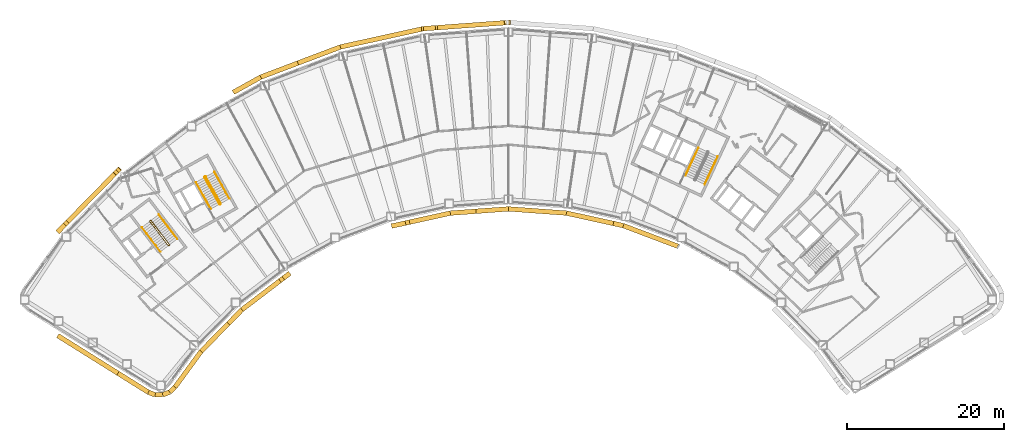
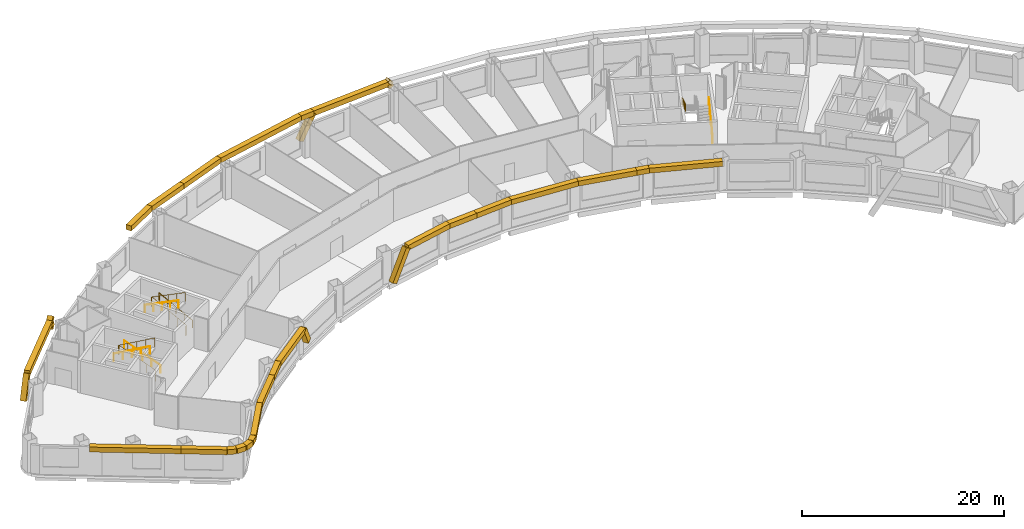
# One storey, part 10 of 11: 32 coverings, 8 railings.
"""IFC4 building model written with IfcOpenShell, lengths in metres."""

from ifc_helpers import new_model, si_unit, direction, frame, origin, origin_2d, place, context, subcontext, project, spatial, rectangle, circle, extrude, material, material_profile, profile_set, type_object, element, save


model = new_model("IFC4")

# Units and contexts
model_context = context("Model", 3, precision=1e-05, world=origin(), true_north=direction((0.0, 1.0)))
body_context = subcontext(model_context, "Body", "Model", "MODEL_VIEW")
ifc_project = project(units=[si_unit("LENGTHUNIT", "METRE"), si_unit("AREAUNIT", "SQUARE_METRE"), si_unit("VOLUMEUNIT", "CUBIC_METRE"), si_unit("PLANEANGLEUNIT", "RADIAN"), si_unit("MASSUNIT", "GRAM", prefix="KILO")], contexts=[model_context])

# Site, building, storey
site_placement = place(None, origin())
site = spatial("IfcSite", under=ifc_project, at=site_placement, CompositionType="ELEMENT")
building_placement = place(site_placement, origin())
building = spatial("IfcBuilding", under=site, at=building_placement, Name="Tuul Gate Civic Tower", CompositionType="ELEMENT")
storey_placement = place(building_placement, frame((0.0, 0.0, 120.300048828125)))
storey = spatial("IfcBuildingStorey", under=building, at=storey_placement, Name="Level 27", CompositionType="ELEMENT", Elevation=120.300048828125)

# Railings
ifc_material_1 = material(Name="Painted steel", Category="steel")
railing_type_1 = type_object("IfcRailingType", Name="Stair guard", PredefinedType="GUARDRAIL", material=ifc_material_1)
railing_1_placement = place(storey_placement, frame((-33.382080078125, -13.515380859375, 0.0)))
element("IfcRailing", 1, at=railing_1_placement, inside=storey, type_object=railing_type_1, Name="Level 27 ST-1 stair guard 1", PredefinedType="GUARDRAIL", context=body_context, shape_type="SweptSolid", body=[
    extrude(circle(Radius=0.02392578125, at=origin_2d()), frame((0.0, 0.0, 1.076171875), z_axis=(-0.795879841968, -0.605454603706, 0.0), x_axis=(0.605454603706, -0.795879841968, 0.0)), (0.0, 0.0, 1.0), 0.10009765625),
    extrude(circle(Radius=0.02392578125, at=origin_2d()), frame((-0.07958984375, -0.060546875, 1.076171875), z_axis=(0.408991890351, 0.599481263939, 0.688002796371), x_axis=(-0.826063974707, 0.563576356576, 0.0)), (0.0, 0.0, 1.0), 0.2177734375),
    extrude(circle(Radius=0.02392578125, at=origin_2d()), frame((0.009521484375, 0.070068359375, 1.22607421875), z_axis=(-0.541824460341, 0.711645023348, 0.447199748346), x_axis=(-0.795637165283, -0.60577347352, 0.0)), (0.0, 0.0, 1.0), 4.3603515625),
    extrude(circle(Radius=0.02392578125, at=origin_2d()), frame((-2.35302734375, 3.173095703125, 3.17578125), z_axis=(-0.990893089246, 0.134650977284, 0.0), x_axis=(-0.134650977284, -0.990893089246, 0.0)), (0.0, 0.0, 1.0), 0.07080078125),
    extrude(circle(Radius=0.02392578125, at=origin_2d()), frame((-2.423095703125, 3.1826171875, 3.17578125), z_axis=(-0.793802879778, -0.60817512943, 0.0), x_axis=(0.60817512943, -0.793802879778, 0.0)), (0.0, 0.0, 1.0), 0.099853515625),
    extrude(circle(Radius=0.02392578125, at=origin_2d()), frame((-2.50244140625, 3.121826171875, 3.17578125), z_axis=(-0.057370624079, -0.422188951554, 0.904690610473), x_axis=(0.990893089246, -0.134650977284, 0.0)), (0.0, 0.0, 1.0), 0.166015625),
    extrude(circle(Radius=0.02392578125, at=origin_2d()), frame((-2.511962890625, 3.0517578125, 3.326171875), z_axis=(0.541806494602, -0.71163897684, 0.447231136047), x_axis=(0.795644365679, 0.605764016233, 0.0)), (0.0, 0.0, 1.0), 4.360107421875),
    extrude(circle(Radius=0.02099609375, at=origin_2d()), origin(), (0.0, 0.0, 1.0), 1.052001953125),
    extrude(circle(Radius=0.02099609375, at=origin_2d()), frame((-0.07958984375, -0.060546875, 0.0)), (0.0, 0.0, 1.0), 1.052001953125),
    extrude(circle(Radius=0.02099609375, at=origin_2d()), frame((0.009521484375, 0.070068359375, 0.14990234375)), (0.0, 0.0, 1.0), 1.052001953125),
    extrude(circle(Radius=0.02099609375, at=origin_2d()), frame((-0.5810546875, 0.845703125, 0.637451171875)), (0.0, 0.0, 1.0), 1.052001953125),
    extrude(circle(Radius=0.02099609375, at=origin_2d()), frame((-1.171875, 1.62158203125, 1.125)), (0.0, 0.0, 1.0), 1.052001953125),
    extrude(circle(Radius=0.02099609375, at=origin_2d()), frame((-1.762451171875, 2.3974609375, 1.6123046875)), (0.0, 0.0, 1.0), 1.052001953125),
    extrude(circle(Radius=0.02099609375, at=origin_2d()), frame((-2.35302734375, 3.173095703125, 2.099853515625)), (0.0, 0.0, 1.0), 1.052001953125),
    extrude(circle(Radius=0.02099609375, at=origin_2d()), frame((-2.423095703125, 3.1826171875, 2.099853515625)), (0.0, 0.0, 1.0), 1.052001953125),
    extrude(circle(Radius=0.02099609375, at=origin_2d()), frame((-2.50244140625, 3.121826171875, 2.099853515625)), (0.0, 0.0, 1.0), 1.052001953125),
    extrude(circle(Radius=0.02099609375, at=origin_2d()), frame((-2.511962890625, 3.0517578125, 2.25)), (0.0, 0.0, 1.0), 1.052001953125),
    extrude(circle(Radius=0.02099609375, at=origin_2d()), frame((-1.92138671875, 2.276123046875, 2.737548828125)), (0.0, 0.0, 1.0), 1.052001953125),
    extrude(circle(Radius=0.02099609375, at=origin_2d()), frame((-1.330810546875, 1.50048828125, 3.22509765625)), (0.0, 0.0, 1.0), 1.052001953125),
    extrude(circle(Radius=0.02099609375, at=origin_2d()), frame((-0.740234375, 0.724609375, 3.71240234375)), (0.0, 0.0, 1.0), 1.052001953125),
    extrude(circle(Radius=0.02099609375, at=origin_2d()), frame((-0.149658203125, -0.051025390625, 4.199951171875)), (0.0, 0.0, 1.0), 1.052001953125),
])
railing_2_placement = place(storey_placement, frame((-26.857666015625, -8.247314453125, 0.0)))
element("IfcRailing", 2, at=railing_2_placement, inside=storey, type_object=railing_type_1, Name="Level 27 ST-2 stair guard 1", PredefinedType="GUARDRAIL", context=body_context, shape_type="SweptSolid", body=[
    extrude(circle(Radius=0.02392578125, at=origin_2d()), frame((0.0, 0.0, 1.076171875), z_axis=(-0.874616555828, -0.48481530532, 0.0), x_axis=(0.48481530532, -0.874616555828, 0.0)), (0.0, 0.0, 1.0), 0.10009765625),
    extrude(circle(Radius=0.02392578125, at=origin_2d()), frame((-0.087646484375, -0.048583984375, 1.076171875), z_axis=(0.49081399482, 0.534516610797, 0.688036056665), x_axis=(-0.736576986774, 0.676353711126, 0.0)), (0.0, 0.0, 1.0), 0.2177734375),
    extrude(circle(Radius=0.02392578125, at=origin_2d()), frame((0.019287109375, 0.06787109375, 1.22607421875), z_axis=(-0.43354991378, 0.782327185242, 0.447212083348), x_axis=(-0.874667644053, -0.484723129681, 0.0)), (0.0, 0.0, 1.0), 4.3603515625),
    extrude(circle(Radius=0.02392578125, at=origin_2d()), frame((-1.87109375, 3.47900390625, 3.17578125), z_axis=(-0.961263487578, 0.275631107549, 0.0), x_axis=(-0.275631107549, -0.961263487578, 0.0)), (0.0, 0.0, 1.0), 0.07080078125),
    extrude(circle(Radius=0.02392578125, at=origin_2d()), frame((-1.939208984375, 3.49853515625, 3.17578125), z_axis=(-0.874042088414, -0.485850211157, 0.0), x_axis=(0.485850211157, -0.874042088414, 0.0)), (0.0, 0.0, 1.0), 0.10009765625),
    extrude(circle(Radius=0.02392578125, at=origin_2d()), frame((-2.026611328125, 3.449951171875, 3.17578125), z_axis=(-0.117709570447, -0.409040757305, 0.904892322815), x_axis=(0.961000426733, -0.276546885391, 0.0)), (0.0, 0.0, 1.0), 0.166015625),
    extrude(circle(Radius=0.02392578125, at=origin_2d()), frame((-2.046142578125, 3.382080078125, 3.326171875), z_axis=(0.433595379963, -0.782308193291, 0.447201226726), x_axis=(0.874641102302, 0.484771020343, 0.0)), (0.0, 0.0, 1.0), 4.3603515625),
    extrude(circle(Radius=0.02099609375, at=origin_2d()), origin(), (0.0, 0.0, 1.0), 1.052001953125),
    extrude(circle(Radius=0.02099609375, at=origin_2d()), frame((-0.087646484375, -0.048583984375, 0.0)), (0.0, 0.0, 1.0), 1.052001953125),
    extrude(circle(Radius=0.02099609375, at=origin_2d()), frame((0.019287109375, 0.06787109375, 0.14990234375)), (0.0, 0.0, 1.0), 1.052001953125),
    extrude(circle(Radius=0.02099609375, at=origin_2d()), frame((-0.453369140625, 0.920654296875, 0.637451171875)), (0.0, 0.0, 1.0), 1.052001953125),
    extrude(circle(Radius=0.02099609375, at=origin_2d()), frame((-0.92578125, 1.7734375, 1.125)), (0.0, 0.0, 1.0), 1.052001953125),
    extrude(circle(Radius=0.02099609375, at=origin_2d()), frame((-1.3984375, 2.626220703125, 1.6123046875)), (0.0, 0.0, 1.0), 1.052001953125),
    extrude(circle(Radius=0.02099609375, at=origin_2d()), frame((-1.87109375, 3.47900390625, 2.099853515625)), (0.0, 0.0, 1.0), 1.052001953125),
    extrude(circle(Radius=0.02099609375, at=origin_2d()), frame((-1.939208984375, 3.49853515625, 2.099853515625)), (0.0, 0.0, 1.0), 1.052001953125),
    extrude(circle(Radius=0.02099609375, at=origin_2d()), frame((-2.026611328125, 3.449951171875, 2.099853515625)), (0.0, 0.0, 1.0), 1.052001953125),
    extrude(circle(Radius=0.02099609375, at=origin_2d()), frame((-2.046142578125, 3.382080078125, 2.25)), (0.0, 0.0, 1.0), 1.052001953125),
    extrude(circle(Radius=0.02099609375, at=origin_2d()), frame((-1.573486328125, 2.529296875, 2.737548828125)), (0.0, 0.0, 1.0), 1.052001953125),
    extrude(circle(Radius=0.02099609375, at=origin_2d()), frame((-1.100830078125, 1.676513671875, 3.22509765625)), (0.0, 0.0, 1.0), 1.052001953125),
    extrude(circle(Radius=0.02099609375, at=origin_2d()), frame((-0.628173828125, 0.82373046875, 3.71240234375)), (0.0, 0.0, 1.0), 1.052001953125),
    extrude(circle(Radius=0.02099609375, at=origin_2d()), frame((-0.155517578125, -0.029052734375, 4.199951171875)), (0.0, 0.0, 1.0), 1.052001953125),
])
ifc_material_2 = material(Name="Painted steel", Category="steel")
railing_type_2 = type_object("IfcRailingType", Name="Stair handrail", PredefinedType="HANDRAIL", material=ifc_material_2)
railing_3_placement = place(storey_placement, frame((-32.3779296875, -12.688232421875, 0.14990234375)))
element("IfcRailing", 3, at=railing_3_placement, inside=storey, type_object=railing_type_2, Name="Level 27 ST-1 stair handrail 1", PredefinedType="HANDRAIL", context=body_context, shape_type="SweptSolid", body=[
    extrude(circle(Radius=0.02392578125, at=origin_2d()), frame((0.0, 0.0, 0.8759765625), z_axis=(-0.541824460341, 0.711645023348, 0.447199748346), x_axis=(-0.795637165283, -0.60577347352, 0.0)), (0.0, 0.0, 1.0), 4.3603515625),
    extrude(circle(Radius=0.02099609375, at=origin_2d()), origin(), (0.0, 0.0, 1.0), 0.851806640625),
    extrude(circle(Radius=0.02099609375, at=origin_2d()), frame((-0.590576171875, 0.77587890625, 0.487548828125)), (0.0, 0.0, 1.0), 0.851806640625),
    extrude(circle(Radius=0.02099609375, at=origin_2d()), frame((-1.18115234375, 1.551513671875, 0.97509765625)), (0.0, 0.0, 1.0), 0.851806640625),
    extrude(circle(Radius=0.02099609375, at=origin_2d()), frame((-1.77197265625, 2.3271484375, 1.46240234375)), (0.0, 0.0, 1.0), 0.851806640625),
    extrude(circle(Radius=0.02099609375, at=origin_2d()), frame((-2.362548828125, 3.10302734375, 1.949951171875)), (0.0, 0.0, 1.0), 0.851806640625),
])
railing_4_placement = place(storey_placement, frame((-36.888671875, -11.220703125, 2.25)))
element("IfcRailing", 4, at=railing_4_placement, inside=storey, type_object=railing_type_2, Name="Level 27 ST-1 stair handrail 2", PredefinedType="HANDRAIL", context=body_context, shape_type="SweptSolid", body=[
    extrude(circle(Radius=0.02392578125, at=origin_2d()), frame((0.0, 0.0, 0.8759765625), z_axis=(0.541824460341, -0.711645023348, 0.447199748346), x_axis=(0.795637165283, 0.60577347352, 0.0)), (0.0, 0.0, 1.0), 4.3603515625),
    extrude(circle(Radius=0.02099609375, at=origin_2d()), origin(), (0.0, 0.0, 1.0), 0.851806640625),
    extrude(circle(Radius=0.02099609375, at=origin_2d()), frame((0.590576171875, -0.77587890625, 0.487548828125)), (0.0, 0.0, 1.0), 0.851806640625),
    extrude(circle(Radius=0.02099609375, at=origin_2d()), frame((1.18115234375, -1.551513671875, 0.97509765625)), (0.0, 0.0, 1.0), 0.851806640625),
    extrude(circle(Radius=0.02099609375, at=origin_2d()), frame((1.77197265625, -2.3271484375, 1.46240234375)), (0.0, 0.0, 1.0), 0.851806640625),
    extrude(circle(Radius=0.02099609375, at=origin_2d()), frame((2.362548828125, -3.10302734375, 1.949951171875)), (0.0, 0.0, 1.0), 0.851806640625),
])
railing_5_placement = place(storey_placement, frame((-25.744873046875, -7.573486328125, 0.14990234375)))
element("IfcRailing", 5, at=railing_5_placement, inside=storey, type_object=railing_type_2, Name="Level 27 ST-2 stair handrail 1", PredefinedType="HANDRAIL", context=body_context, shape_type="SweptSolid", body=[
    extrude(circle(Radius=0.02392578125, at=origin_2d()), frame((0.0, 0.0, 0.8759765625), z_axis=(-0.433595379963, 0.782308193291, 0.447201226726), x_axis=(-0.874641102302, -0.484771020343, 0.0)), (0.0, 0.0, 1.0), 4.3603515625),
    extrude(circle(Radius=0.02099609375, at=origin_2d()), origin(), (0.0, 0.0, 1.0), 0.851806640625),
    extrude(circle(Radius=0.02099609375, at=origin_2d()), frame((-0.47265625, 0.852783203125, 0.487548828125)), (0.0, 0.0, 1.0), 0.851806640625),
    extrude(circle(Radius=0.02099609375, at=origin_2d()), frame((-0.9453125, 1.70556640625, 0.97509765625)), (0.0, 0.0, 1.0), 0.851806640625),
    extrude(circle(Radius=0.02099609375, at=origin_2d()), frame((-1.41796875, 2.558349609375, 1.46240234375)), (0.0, 0.0, 1.0), 0.851806640625),
    extrude(circle(Radius=0.02099609375, at=origin_2d()), frame((-1.890625, 3.4111328125, 1.949951171875)), (0.0, 0.0, 1.0), 0.851806640625),
])
railing_6_placement = place(storey_placement, frame((-29.9970703125, -5.47119140625, 2.25)))
element("IfcRailing", 6, at=railing_6_placement, inside=storey, type_object=railing_type_2, Name="Level 27 ST-2 stair handrail 2", PredefinedType="HANDRAIL", context=body_context, shape_type="SweptSolid", body=[
    extrude(circle(Radius=0.02392578125, at=origin_2d()), frame((0.0, 0.0, 0.8759765625), z_axis=(0.433595379963, -0.782308193291, 0.447201226726), x_axis=(0.874641102302, 0.484771020343, 0.0)), (0.0, 0.0, 1.0), 4.3603515625),
    extrude(circle(Radius=0.02099609375, at=origin_2d()), origin(), (0.0, 0.0, 1.0), 0.851806640625),
    extrude(circle(Radius=0.02099609375, at=origin_2d()), frame((0.47265625, -0.852783203125, 0.487548828125)), (0.0, 0.0, 1.0), 0.851806640625),
    extrude(circle(Radius=0.02099609375, at=origin_2d()), frame((0.9453125, -1.70556640625, 0.97509765625)), (0.0, 0.0, 1.0), 0.851806640625),
    extrude(circle(Radius=0.02099609375, at=origin_2d()), frame((1.41796875, -2.558349609375, 1.46240234375)), (0.0, 0.0, 1.0), 0.851806640625),
    extrude(circle(Radius=0.02099609375, at=origin_2d()), frame((1.890625, -3.4111328125, 1.949951171875)), (0.0, 0.0, 1.0), 0.851806640625),
])
railing_7_placement = place(storey_placement, frame((34.844970703125, -5.74267578125, 0.14990234375)))
element("IfcRailing", 7, at=railing_7_placement, inside=storey, type_object=railing_type_2, Name="Level 27 ST-4 stair handrail 1", PredefinedType="HANDRAIL", context=body_context, shape_type="SweptSolid", body=[
    extrude(circle(Radius=0.02392578125, at=origin_2d()), frame((0.0, 0.0, 0.8759765625), z_axis=(0.377994896215, 0.810636958585, 0.447199709091), x_axis=(-0.906312636903, 0.422607861012, 0.0)), (0.0, 0.0, 1.0), 4.3603515625),
    extrude(circle(Radius=0.02099609375, at=origin_2d()), origin(), (0.0, 0.0, 1.0), 0.851806640625),
    extrude(circle(Radius=0.02099609375, at=origin_2d()), frame((0.412109375, 0.8837890625, 0.487548828125)), (0.0, 0.0, 1.0), 0.851806640625),
    extrude(circle(Radius=0.02099609375, at=origin_2d()), frame((0.82421875, 1.767333984375, 0.97509765625)), (0.0, 0.0, 1.0), 0.851806640625),
    extrude(circle(Radius=0.02099609375, at=origin_2d()), frame((1.236083984375, 2.65087890625, 1.46240234375)), (0.0, 0.0, 1.0), 0.851806640625),
    extrude(circle(Radius=0.02099609375, at=origin_2d()), frame((1.648193359375, 3.53466796875, 1.949951171875)), (0.0, 0.0, 1.0), 0.851806640625),
])
railing_8_placement = place(storey_placement, frame((34.046142578125, -1.06689453125, 2.25)))
element("IfcRailing", 8, at=railing_8_placement, inside=storey, type_object=railing_type_2, Name="Level 27 ST-4 stair handrail 2", PredefinedType="HANDRAIL", context=body_context, shape_type="SweptSolid", body=[
    extrude(circle(Radius=0.02392578125, at=origin_2d()), frame((0.0, 0.0, 0.8759765625), z_axis=(-0.377994896215, -0.810636958585, 0.447199709091), x_axis=(0.906312636903, -0.422607861012, 0.0)), (0.0, 0.0, 1.0), 4.3603515625),
    extrude(circle(Radius=0.02099609375, at=origin_2d()), origin(), (0.0, 0.0, 1.0), 0.851806640625),
    extrude(circle(Radius=0.02099609375, at=origin_2d()), frame((-0.412109375, -0.8837890625, 0.487548828125)), (0.0, 0.0, 1.0), 0.851806640625),
    extrude(circle(Radius=0.02099609375, at=origin_2d()), frame((-0.82421875, -1.767333984375, 0.97509765625)), (0.0, 0.0, 1.0), 0.851806640625),
    extrude(circle(Radius=0.02099609375, at=origin_2d()), frame((-1.236083984375, -2.65087890625, 1.46240234375)), (0.0, 0.0, 1.0), 0.851806640625),
    extrude(circle(Radius=0.02099609375, at=origin_2d()), frame((-1.648193359375, -3.53466796875, 1.949951171875)), (0.0, 0.0, 1.0), 0.851806640625),
])

# Coverings
ifc_material_3 = material(Name="Terracotta baguette", Category="masonry")
ifc_material_profile = material_profile(ifc_material_3, rectangle(XDim=0.60009765625, YDim=0.60009765625, at=origin_2d()), Name="Terracotta baguette screen frame")
ifc_profile_set = profile_set([ifc_material_profile], Name="Terracotta baguette")
covering_type = type_object("IfcCoveringType", Name="Terracotta baguette screen frame", PredefinedType="CLADDING", material=ifc_profile_set)
covering_1_placement = place(storey_placement, frame((9.8291015625, 14.889892578125, 4.099853515625), z_axis=(-0.731856974766, -0.05241767997, -0.679439294796), x_axis=(0.071439843969, -0.997444910105, 0.0)))
element("IfcCovering", 9, at=covering_1_placement, inside=storey, type_object=covering_type, Name="Baguette 72", PredefinedType="CLADDING", context=body_context, shape_type="SweptSolid", body=[
    extrude(rectangle(XDim=0.60009765625, YDim=0.60009765625, at=origin_2d()), origin(), (0.0, 0.0, 1.0), 0.367919921875),
])
covering_2_placement = place(storey_placement, frame((9.559814453125, 14.87060546875, 3.849853515625), z_axis=(0.47426206361, 0.033967999116, -0.879728179642), x_axis=(-0.071439843969, 0.997444910105, 0.0)))
element("IfcCovering", 10, at=covering_2_placement, inside=storey, type_object=covering_type, Name="Baguette 76", PredefinedType="CLADDING", context=body_context, shape_type="SweptSolid", body=[
    extrude(rectangle(XDim=0.60009765625, YDim=0.60009765625, at=origin_2d()), origin(), (0.0, 0.0, 1.0), 0.56787109375),
])
covering_3_placement = place(storey_placement, frame((9.559814453125, 14.87060546875, 3.849853515625), z_axis=(-0.997380380277, -0.072335171524, 0.0), x_axis=(0.072335171524, -0.997380380277, 0.0)))
element("IfcCovering", 11, at=covering_3_placement, inside=storey, type_object=covering_type, Name="Baguette 78", PredefinedType="CLADDING", context=body_context, shape_type="SweptSolid", body=[
    extrude(rectangle(XDim=0.60009765625, YDim=0.60009765625, at=origin_2d()), origin(), (0.0, 0.0, 1.0), 9.072265625),
])
covering_4_placement = place(storey_placement, frame((0.51123046875, 14.21435546875, 3.849853515625), z_axis=(-0.473947055749, -0.034429752063, -0.879879980747), x_axis=(0.07245379487, -0.997371770008, 0.0)))
element("IfcCovering", 12, at=covering_4_placement, inside=storey, type_object=covering_type, Name="Baguette 83", PredefinedType="CLADDING", context=body_context, shape_type="SweptSolid", body=[
    extrude(rectangle(XDim=0.60009765625, YDim=0.60009765625, at=origin_2d()), origin(), (0.0, 0.0, 1.0), 3.1767578125),
])
covering_5_placement = place(storey_placement, frame((-17.001708984375, 9.72412109375, 3.849853515625), z_axis=(-0.9353892354, -0.353619821697, 0.0), x_axis=(0.353619821697, -0.9353892354, 0.0)))
element("IfcCovering", 13, at=covering_5_placement, inside=storey, type_object=covering_type, Name="Baguette 99", PredefinedType="CLADDING", context=body_context, shape_type="SweptSolid", body=[
    extrude(rectangle(XDim=0.60009765625, YDim=0.60009765625, at=origin_2d()), origin(), (0.0, 0.0, 1.0), 5.06689453125),
])
covering_6_placement = place(storey_placement, frame((-21.7412109375, 7.932373046875, 3.849853515625), z_axis=(-0.874588189659, -0.484866474928, 0.0), x_axis=(0.484866474928, -0.874588189659, 0.0)))
element("IfcCovering", 14, at=covering_6_placement, inside=storey, type_object=covering_type, Name="Baguette 100", PredefinedType="CLADDING", context=body_context, shape_type="SweptSolid", body=[
    extrude(rectangle(XDim=0.60009765625, YDim=0.60009765625, at=origin_2d()), origin(), (0.0, 0.0, 1.0), 4.005615234375),
])
covering_7_placement = place(storey_placement, frame((-39.864501953125, -3.902099609375, 4.26513671875), z_axis=(-0.513638694194, -0.52402330232, -0.679393016193), x_axis=(0.71414753099, -0.699995217113, 0.0)))
element("IfcCovering", 15, at=covering_7_placement, inside=storey, type_object=covering_type, Name="Baguette 114", PredefinedType="CLADDING", context=body_context, shape_type="SweptSolid", body=[
    extrude(rectangle(XDim=0.60009765625, YDim=0.60009765625, at=origin_2d()), origin(), (0.0, 0.0, 1.0), 0.611328125),
])
covering_8_placement = place(storey_placement, frame((-40.178466796875, -4.222412109375, 3.849853515625), z_axis=(0.332688248013, 0.339414448984, -0.879838826976), x_axis=(-0.71414753099, 0.699995217113, 0.0)))
element("IfcCovering", 16, at=covering_8_placement, inside=storey, type_object=covering_type, Name="Baguette 118", PredefinedType="CLADDING", context=body_context, shape_type="SweptSolid", body=[
    extrude(rectangle(XDim=0.60009765625, YDim=0.60009765625, at=origin_2d()), origin(), (0.0, 0.0, 1.0), 0.943603515625),
])
covering_9_placement = place(storey_placement, frame((-40.178466796875, -4.222412109375, 3.849853515625), z_axis=(-0.700007644137, -0.714135350021, 0.0), x_axis=(0.714135350021, -0.700007644137, 0.0)))
element("IfcCovering", 17, at=covering_9_placement, inside=storey, type_object=covering_type, Name="Baguette 120", PredefinedType="CLADDING", context=body_context, shape_type="SweptSolid", body=[
    extrude(rectangle(XDim=0.60009765625, YDim=0.60009765625, at=origin_2d()), origin(), (0.0, 0.0, 1.0), 9.072509765625),
])
covering_10_placement = place(storey_placement, frame((-46.529296875, -10.701416015625, 3.849853515625), z_axis=(-0.332610291791, -0.339410711911, -0.879869741743), x_axis=(0.714225678888, -0.699915480338, 0.0)))
element("IfcCovering", 18, at=covering_10_placement, inside=storey, type_object=covering_type, Name="Baguette 125", PredefinedType="CLADDING", context=body_context, shape_type="SweptSolid", body=[
    extrude(rectangle(XDim=0.60009765625, YDim=0.60009765625, at=origin_2d()), origin(), (0.0, 0.0, 1.0), 2.80029296875),
])
covering_11_placement = place(storey_placement, frame((-47.6162109375, -25.023681640625, 3.849853515625), z_axis=(0.848051326016, -0.529914095342, 0.0), x_axis=(0.529914095342, 0.848051326016, 0.0)))
element("IfcCovering", 19, at=covering_11_placement, inside=storey, type_object=covering_type, Name="Baguette 152", PredefinedType="CLADDING", context=body_context, shape_type="SweptSolid", body=[
    extrude(rectangle(XDim=0.60009765625, YDim=0.60009765625, at=origin_2d()), origin(), (0.0, 0.0, 1.0), 9.052978515625),
])
covering_12_placement = place(storey_placement, frame((-25.87841796875, -23.490478515625, 3.849853515625), z_axis=(0.700086167254, 0.714058371857, 0.0), x_axis=(-0.714058371857, 0.700086167254, 0.0)))
element("IfcCovering", 20, at=covering_12_placement, inside=storey, type_object=covering_type, Name="Baguette 184", PredefinedType="CLADDING", context=body_context, shape_type="SweptSolid", body=[
    extrude(rectangle(XDim=0.60009765625, YDim=0.60009765625, at=origin_2d()), origin(), (0.0, 0.0, 1.0), 2.481201171875),
])
covering_13_placement = place(storey_placement, frame((-24.141357421875, -21.71875, 3.849853515625), z_axis=(0.795563656238, 0.605870009881, 0.0), x_axis=(-0.605870009881, 0.795563656238, 0.0)))
element("IfcCovering", 21, at=covering_13_placement, inside=storey, type_object=covering_type, Name="Baguette 185", PredefinedType="CLADDING", context=body_context, shape_type="SweptSolid", body=[
    extrude(rectangle(XDim=0.60009765625, YDim=0.60009765625, at=origin_2d()), origin(), (0.0, 0.0, 1.0), 6.370849609375),
])
covering_14_placement = place(storey_placement, frame((-19.072998046875, -17.85888671875, 3.849853515625), z_axis=(0.370845581958, 0.282373042769, -0.884725391893), x_axis=(-0.605804319563, 0.795613679118, 0.0)))
element("IfcCovering", 22, at=covering_14_placement, inside=storey, type_object=covering_type, Name="Baguette 190", PredefinedType="CLADDING", context=body_context, shape_type="SweptSolid", body=[
    extrude(rectangle(XDim=0.60009765625, YDim=0.60009765625, at=origin_2d()), origin(), (0.0, 0.0, 1.0), 2.246337890625),
])
covering_15_placement = place(storey_placement, frame((-3.035400390625, -10.61279296875, 3.849853515625), z_axis=(-0.45520337994, -0.100315999561, -0.884718363731), x_axis=(0.215212210255, -0.976567306721, 0.0)))
element("IfcCovering", 23, at=covering_15_placement, inside=storey, type_object=covering_type, Name="Baguette 208", PredefinedType="CLADDING", context=body_context, shape_type="SweptSolid", body=[
    extrude(rectangle(XDim=0.60009765625, YDim=0.60009765625, at=origin_2d()), origin(), (0.0, 0.0, 1.0), 3.906005859375),
])
covering_16_placement = place(storey_placement, frame((-3.035400390625, -10.61279296875, 3.849853515625), z_axis=(0.976565315313, 0.21522124646, 0.0), x_axis=(-0.21522124646, 0.976565315313, 0.0)))
element("IfcCovering", 24, at=covering_16_placement, inside=storey, type_object=covering_type, Name="Baguette 210", PredefinedType="CLADDING", context=body_context, shape_type="SweptSolid", body=[
    extrude(rectangle(XDim=0.60009765625, YDim=0.60009765625, at=origin_2d()), origin(), (0.0, 0.0, 1.0), 5.596923828125),
])
covering_17_placement = place(storey_placement, frame((2.430419921875, -9.408203125, 3.849853515625), z_axis=(0.997393564609, 0.072153151538, 0.0), x_axis=(-0.072153151538, 0.997393564609, 0.0)))
element("IfcCovering", 25, at=covering_17_placement, inside=storey, type_object=covering_type, Name="Baguette 211", PredefinedType="CLADDING", context=body_context, shape_type="SweptSolid", body=[
    extrude(rectangle(XDim=0.60009765625, YDim=0.60009765625, at=origin_2d()), origin(), (0.0, 0.0, 1.0), 3.255126953125),
])
covering_18_placement = place(storey_placement, frame((23.20703125, -10.72607421875, 3.849853515625), z_axis=(0.976580321069, -0.215153146619, 0.0), x_axis=(0.215153146619, 0.976580321069, 0.0)))
element("IfcCovering", 26, at=covering_18_placement, inside=storey, type_object=covering_type, Name="Baguette 233", PredefinedType="CLADDING", context=body_context, shape_type="SweptSolid", body=[
    extrude(rectangle(XDim=0.60009765625, YDim=0.60009765625, at=origin_2d()), origin(), (0.0, 0.0, 1.0), 1.294677734375),
])
covering_19_placement = place(storey_placement, frame((24.471435546875, -11.004638671875, 3.849853515625), z_axis=(0.935357193845, -0.353704565878, 0.0), x_axis=(0.353704565878, 0.935357193845, 0.0)))
element("IfcCovering", 27, at=covering_19_placement, inside=storey, type_object=covering_type, Name="Baguette 234", PredefinedType="CLADDING", context=body_context, shape_type="SweptSolid", body=[
    extrude(rectangle(XDim=0.60009765625, YDim=0.60009765625, at=origin_2d()), origin(), (0.0, 0.0, 1.0), 7.41796875),
])
covering_20_placement = place(storey_placement, frame((0.51123046875, 14.21435546875, 3.849853515625), z_axis=(-0.997371770008, -0.07245379487, 0.0), x_axis=(0.07245379487, -0.997371770008, 0.0)))
element("IfcCovering", 28, at=covering_20_placement, inside=storey, type_object=covering_type, Name="Baguette 318", PredefinedType="CLADDING", context=body_context, shape_type="SweptSolid", body=[
    extrude(rectangle(XDim=0.60009765625, YDim=0.60009765625, at=origin_2d()), origin(), (0.0, 0.0, 1.0), 1.509521484375),
])
covering_21_placement = place(storey_placement, frame((-0.994384765625, 14.10498046875, 3.849853515625), z_axis=(-0.976565170403, -0.215221903986, 0.0), x_axis=(0.215221903986, -0.976565170403, 0.0)))
element("IfcCovering", 29, at=covering_21_placement, inside=storey, type_object=covering_type, Name="Baguette 319", PredefinedType="CLADDING", context=body_context, shape_type="SweptSolid", body=[
    extrude(rectangle(XDim=0.60009765625, YDim=0.60009765625, at=origin_2d()), origin(), (0.0, 0.0, 1.0), 10.850341796875),
])
covering_22_placement = place(storey_placement, frame((-11.59033203125, 11.769775390625, 3.849853515625), z_axis=(-0.93539456207, -0.353605731359, 0.0), x_axis=(0.353605731359, -0.93539456207, 0.0)))
element("IfcCovering", 30, at=covering_22_placement, inside=storey, type_object=covering_type, Name="Baguette 320", PredefinedType="CLADDING", context=body_context, shape_type="SweptSolid", body=[
    extrude(rectangle(XDim=0.60009765625, YDim=0.60009765625, at=origin_2d()), origin(), (0.0, 0.0, 1.0), 5.78515625),
])
covering_23_placement = place(storey_placement, frame((-39.938720703125, -29.821044921875, 3.849853515625), z_axis=(0.84806120414, -0.529898286497, 0.0), x_axis=(0.529898286497, 0.84806120414, 0.0)))
element("IfcCovering", 31, at=covering_23_placement, inside=storey, type_object=covering_type, Name="Baguette 340", PredefinedType="CLADDING", context=body_context, shape_type="SweptSolid", body=[
    extrude(rectangle(XDim=0.60009765625, YDim=0.60009765625, at=origin_2d()), origin(), (0.0, 0.0, 1.0), 4.578857421875),
])
covering_24_placement = place(storey_placement, frame((-36.0556640625, -32.247314453125, 3.849853515625), z_axis=(0.931801188997, -0.362969067807, 0.0), x_axis=(0.362969067807, 0.931801188997, 0.0)))
element("IfcCovering", 32, at=covering_24_placement, inside=storey, type_object=covering_type, Name="Baguette 341", PredefinedType="CLADDING", context=body_context, shape_type="SweptSolid", body=[
    extrude(rectangle(XDim=0.60009765625, YDim=0.60009765625, at=origin_2d()), origin(), (0.0, 0.0, 1.0), 0.9013671875),
])
covering_25_placement = place(storey_placement, frame((-35.2158203125, -32.574462890625, 3.849853515625), z_axis=(0.99999546609, 0.003011278693, 0.0), x_axis=(-0.003011278693, 0.99999546609, 0.0)))
element("IfcCovering", 33, at=covering_25_placement, inside=storey, type_object=covering_type, Name="Baguette 342", PredefinedType="CLADDING", context=body_context, shape_type="SweptSolid", body=[
    extrude(rectangle(XDim=0.60009765625, YDim=0.60009765625, at=origin_2d()), origin(), (0.0, 0.0, 1.0), 0.972900390625),
])
covering_26_placement = place(storey_placement, frame((-34.242919921875, -32.571533203125, 3.849853515625), z_axis=(0.929715491451, 0.368278569775, 0.0), x_axis=(-0.368278569775, 0.929715491451, 0.0)))
element("IfcCovering", 34, at=covering_26_placement, inside=storey, type_object=covering_type, Name="Baguette 343", PredefinedType="CLADDING", context=body_context, shape_type="SweptSolid", body=[
    extrude(rectangle(XDim=0.60009765625, YDim=0.60009765625, at=origin_2d()), origin(), (0.0, 0.0, 1.0), 0.974609375),
])
covering_27_placement = place(storey_placement, frame((-33.3369140625, -32.212646484375, 3.849853515625), z_axis=(0.729233015542, 0.684265452177, 0.0), x_axis=(-0.684265452177, 0.729233015542, 0.0)))
element("IfcCovering", 35, at=covering_27_placement, inside=storey, type_object=covering_type, Name="Baguette 344", PredefinedType="CLADDING", context=body_context, shape_type="SweptSolid", body=[
    extrude(rectangle(XDim=0.60009765625, YDim=0.60009765625, at=origin_2d()), origin(), (0.0, 0.0, 1.0), 0.9013671875),
])
covering_28_placement = place(storey_placement, frame((-32.6796875, -31.595947265625, 3.849853515625), z_axis=(0.589834173265, 0.807524394708, 0.0), x_axis=(-0.807524394708, 0.589834173265, 0.0)))
element("IfcCovering", 36, at=covering_28_placement, inside=storey, type_object=covering_type, Name="Baguette 345", PredefinedType="CLADDING", context=body_context, shape_type="SweptSolid", body=[
    extrude(rectangle(XDim=0.60009765625, YDim=0.60009765625, at=origin_2d()), origin(), (0.0, 0.0, 1.0), 5.67138671875),
])
covering_29_placement = place(storey_placement, frame((-29.33447265625, -27.01611328125, 3.849853515625), z_axis=(0.700024934843, 0.714118400966, 0.0), x_axis=(-0.714118400966, 0.700024934843, 0.0)))
element("IfcCovering", 37, at=covering_29_placement, inside=storey, type_object=covering_type, Name="Baguette 346", PredefinedType="CLADDING", context=body_context, shape_type="SweptSolid", body=[
    extrude(rectangle(XDim=0.60009765625, YDim=0.60009765625, at=origin_2d()), origin(), (0.0, 0.0, 1.0), 4.93701171875),
])
covering_30_placement = place(storey_placement, frame((5.677001953125, -9.17333984375, 3.849853515625), z_axis=(0.997394895517, 0.07213475166, 0.0), x_axis=(-0.07213475166, 0.997394895517, 0.0)))
element("IfcCovering", 38, at=covering_30_placement, inside=storey, type_object=covering_type, Name="Baguette 357", PredefinedType="CLADDING", context=body_context, shape_type="SweptSolid", body=[
    extrude(rectangle(XDim=0.60009765625, YDim=0.60009765625, at=origin_2d()), origin(), (0.0, 0.0, 1.0), 4.162841796875),
])
covering_31_placement = place(storey_placement, frame((9.8291015625, -8.873046875, 3.849853515625), z_axis=(0.997394311548, -0.072142825637, 0.0), x_axis=(0.072142825637, 0.997394311548, 0.0)))
element("IfcCovering", 39, at=covering_31_placement, inside=storey, type_object=covering_type, Name="Baguette 358", PredefinedType="CLADDING", context=body_context, shape_type="SweptSolid", body=[
    extrude(rectangle(XDim=0.60009765625, YDim=0.60009765625, at=origin_2d()), origin(), (0.0, 0.0, 1.0), 7.41796875),
])
covering_32_placement = place(storey_placement, frame((17.227783203125, -9.408203125, 3.849853515625), z_axis=(0.976560886687, -0.215241340343, 0.0), x_axis=(0.215241340343, 0.976560886687, 0.0)))
element("IfcCovering", 40, at=covering_32_placement, inside=storey, type_object=covering_type, Name="Baguette 359", PredefinedType="CLADDING", context=body_context, shape_type="SweptSolid", body=[
    extrude(rectangle(XDim=0.60009765625, YDim=0.60009765625, at=origin_2d()), origin(), (0.0, 0.0, 1.0), 6.122802734375),
])

save(model, "model.ifc")
